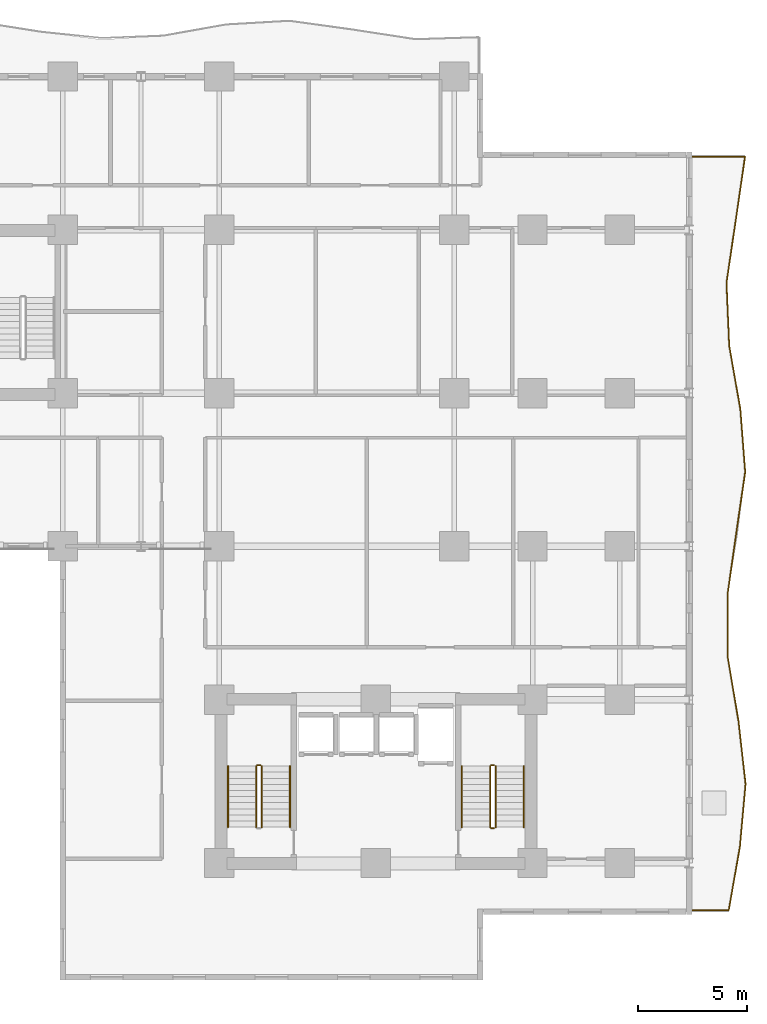
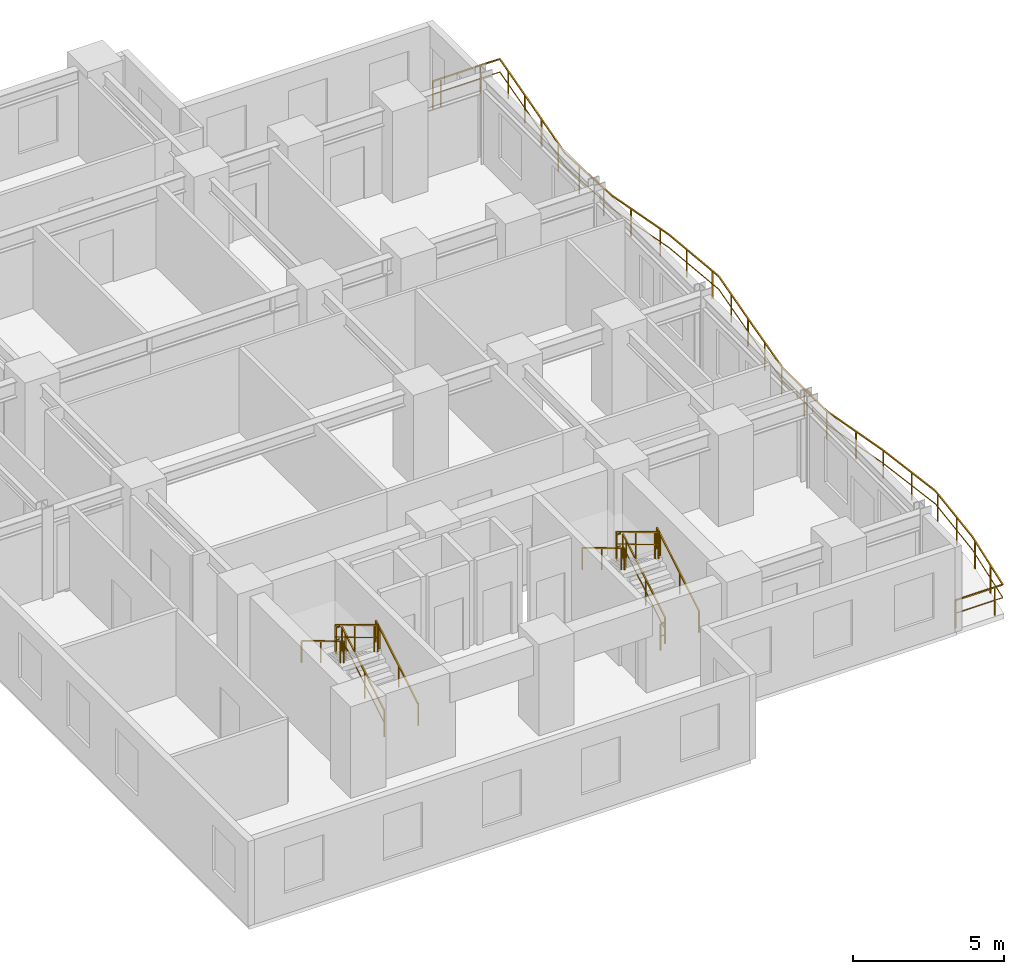
# One storey, part 10 of 11: 12 railings.
"""IFC4 building model written with IfcOpenShell, lengths in metres."""

from ifc_helpers import new_model, si_unit, direction, frame, origin, origin_2d, place, context, subcontext, project, spatial, rectangle, extrude, material, type_object, element, save


model = new_model("IFC4")

# Units and contexts
model_context = context("Model", 3, precision=1e-05, world=origin(), true_north=direction((0.0, 1.0)))
body_context = subcontext(model_context, "Body", "Model", "MODEL_VIEW")
ifc_project = project(units=[si_unit("LENGTHUNIT", "METRE"), si_unit("AREAUNIT", "SQUARE_METRE"), si_unit("VOLUMEUNIT", "CUBIC_METRE"), si_unit("PLANEANGLEUNIT", "RADIAN"), si_unit("MASSUNIT", "GRAM", prefix="KILO")], contexts=[model_context])

# Site, building, storey
site_placement = place(None, origin())
site = spatial("IfcSite", under=ifc_project, at=site_placement, CompositionType="ELEMENT")
building_placement = place(site_placement, origin())
building = spatial("IfcBuilding", under=site, at=building_placement, Name="Kaliganga Portal Commons", CompositionType="ELEMENT")
storey_placement = place(building_placement, frame((0.0, 0.0, 51.199951171875)))
storey = spatial("IfcBuildingStorey", under=building, at=storey_placement, Name="L12", CompositionType="ELEMENT", Elevation=51.199951171875)

# Railings
ifc_material_1 = material(Name="Laminated Safety Glass and Stainless Steel 316", Category="steel")
railing_type_1 = type_object("IfcRailingType", Name="RLG-BAL-1150", PredefinedType="BALUSTRADE", material=ifc_material_1)
railing_1_placement = place(storey_placement, frame((57.6083984375, 4.87939453125, 0.0)))
element("IfcRailing", 1, at=railing_1_placement, inside=storey, type_object=railing_type_1, Name="Balcony Guardrail L12 balc_east", PredefinedType="BALUSTRADE", context=body_context, shape_type="SweptSolid", body=[
    extrude(rectangle(XDim=0.048095703125, YDim=0.048095703125, at=origin_2d()), frame((0.0, 0.0, 1.1259765625), z_axis=(0.999999963693, 0.000269469136, 0.0), x_axis=(-0.000269469136, 0.999999963693, 0.0)), (0.0, 0.0, 1.0), 1.81201171875),
    extrude(rectangle(XDim=0.028076171875, YDim=0.028076171875, at=origin_2d()), frame((0.0, 0.0, 0.597900390625), z_axis=(0.999999963693, 0.000269469136, 0.0), x_axis=(-0.000269469136, 0.999999963693, 0.0)), (0.0, 0.0, 1.0), 1.81201171875),
    extrude(rectangle(XDim=0.048095703125, YDim=0.048095703125, at=origin_2d()), frame((1.81201171875, 0.00048828125, 1.1259765625), z_axis=(0.173359651482, 0.984858584386, 0.0), x_axis=(-0.984858584386, 0.173359651482, 0.0)), (0.0, 0.0, 1.0), 2.94482421875),
    extrude(rectangle(XDim=0.028076171875, YDim=0.028076171875, at=origin_2d()), frame((1.81201171875, 0.00048828125, 0.597900390625), z_axis=(0.173359651482, 0.984858584386, 0.0), x_axis=(-0.984858584386, 0.173359651482, 0.0)), (0.0, 0.0, 1.0), 2.94482421875),
    extrude(rectangle(XDim=0.048095703125, YDim=0.048095703125, at=origin_2d()), frame((2.322509765625, 2.900634765625, 1.1259765625), z_axis=(0.090308930089, 0.995913800058, 0.0), x_axis=(-0.995913800058, 0.090308930089, 0.0)), (0.0, 0.0, 1.0), 2.91162109375),
    extrude(rectangle(XDim=0.028076171875, YDim=0.028076171875, at=origin_2d()), frame((2.322509765625, 2.900634765625, 0.597900390625), z_axis=(0.090308930089, 0.995913800058, 0.0), x_axis=(-0.995913800058, 0.090308930089, 0.0)), (0.0, 0.0, 1.0), 2.91162109375),
    extrude(rectangle(XDim=0.048095703125, YDim=0.048095703125, at=origin_2d()), frame((2.58544921875, 5.80029296875, 1.1259765625), z_axis=(-0.112010581008, 0.993707014035, 0.0), x_axis=(-0.993707014035, -0.112010581008, 0.0)), (0.0, 0.0, 1.0), 2.91845703125),
    extrude(rectangle(XDim=0.028076171875, YDim=0.028076171875, at=origin_2d()), frame((2.58544921875, 5.80029296875, 0.597900390625), z_axis=(-0.112010581008, 0.993707014035, 0.0), x_axis=(-0.993707014035, -0.112010581008, 0.0)), (0.0, 0.0, 1.0), 2.91845703125),
    extrude(rectangle(XDim=0.048095703125, YDim=0.048095703125, at=origin_2d()), frame((2.258544921875, 8.700439453125, 1.1259765625), z_axis=(-0.166269790357, 0.986080299375, 0.0), x_axis=(-0.986080299375, -0.166269790357, 0.0)), (0.0, 0.0, 1.0), 2.941162109375),
    extrude(rectangle(XDim=0.028076171875, YDim=0.028076171875, at=origin_2d()), frame((2.258544921875, 8.700439453125, 0.597900390625), z_axis=(-0.166269790357, 0.986080299375, 0.0), x_axis=(-0.986080299375, -0.166269790357, 0.0)), (0.0, 0.0, 1.0), 2.941162109375),
    extrude(rectangle(XDim=0.048095703125, YDim=0.048095703125, at=origin_2d()), frame((1.76953125, 11.6005859375, 1.1259765625), z_axis=(-0.005051291003, 0.999987242148, 0.0), x_axis=(-0.999987242148, -0.005051291003, 0.0)), (0.0, 0.0, 1.0), 2.89990234375),
    extrude(rectangle(XDim=0.028076171875, YDim=0.028076171875, at=origin_2d()), frame((1.76953125, 11.6005859375, 0.597900390625), z_axis=(-0.005051291003, 0.999987242148, 0.0), x_axis=(-0.999987242148, -0.005051291003, 0.0)), (0.0, 0.0, 1.0), 2.89990234375),
    extrude(rectangle(XDim=0.048095703125, YDim=0.048095703125, at=origin_2d()), frame((1.7548828125, 14.50048828125, 1.1259765625), z_axis=(0.140317245008, 0.990106595652, 0.0), x_axis=(-0.990106595652, 0.140317245008, 0.0)), (0.0, 0.0, 1.0), 2.84814453125),
    extrude(rectangle(XDim=0.028076171875, YDim=0.028076171875, at=origin_2d()), frame((1.7548828125, 14.50048828125, 0.597900390625), z_axis=(0.140317245008, 0.990106595652, 0.0), x_axis=(-0.990106595652, 0.140317245008, 0.0)), (0.0, 0.0, 1.0), 2.84814453125),
    extrude(rectangle(XDim=0.048095703125, YDim=0.048095703125, at=origin_2d()), frame((2.154541015625, 17.320556640625, 1.1259765625), z_axis=(0.144979018425, 0.989434729639, 0.0), x_axis=(-0.989434729639, 0.144979018425, 0.0)), (0.0, 0.0, 1.0), 2.8525390625),
    extrude(rectangle(XDim=0.028076171875, YDim=0.028076171875, at=origin_2d()), frame((2.154541015625, 17.320556640625, 0.597900390625), z_axis=(0.144979018425, 0.989434729639, 0.0), x_axis=(-0.989434729639, 0.144979018425, 0.0)), (0.0, 0.0, 1.0), 2.8525390625),
    extrude(rectangle(XDim=0.048095703125, YDim=0.048095703125, at=origin_2d()), frame((2.568115234375, 20.14306640625, 1.1259765625), z_axis=(-0.077107574656, 0.997022779043, 0.0), x_axis=(-0.997022779043, -0.077107574656, 0.0)), (0.0, 0.0, 1.0), 2.906494140625),
    extrude(rectangle(XDim=0.028076171875, YDim=0.028076171875, at=origin_2d()), frame((2.568115234375, 20.14306640625, 0.597900390625), z_axis=(-0.077107574656, 0.997022779043, 0.0), x_axis=(-0.997022779043, -0.077107574656, 0.0)), (0.0, 0.0, 1.0), 2.906494140625),
    extrude(rectangle(XDim=0.048095703125, YDim=0.048095703125, at=origin_2d()), frame((2.343994140625, 23.041015625, 1.1259765625), z_axis=(-0.173548815858, 0.984825268012, 0.0), x_axis=(-0.984825268012, -0.173548815858, 0.0)), (0.0, 0.0, 1.0), 2.9443359375),
    extrude(rectangle(XDim=0.028076171875, YDim=0.028076171875, at=origin_2d()), frame((2.343994140625, 23.041015625, 0.597900390625), z_axis=(-0.173548815858, 0.984825268012, 0.0), x_axis=(-0.984825268012, -0.173548815858, 0.0)), (0.0, 0.0, 1.0), 2.9443359375),
    extrude(rectangle(XDim=0.048095703125, YDim=0.048095703125, at=origin_2d()), frame((1.8330078125, 25.940673828125, 1.1259765625), z_axis=(-0.042561163054, 0.999093863158, 0.0), x_axis=(-0.999093863158, -0.042561163054, 0.0)), (0.0, 0.0, 1.0), 2.902587890625),
    extrude(rectangle(XDim=0.028076171875, YDim=0.028076171875, at=origin_2d()), frame((1.8330078125, 25.940673828125, 0.597900390625), z_axis=(-0.042561163054, 0.999093863158, 0.0), x_axis=(-0.999093863158, -0.042561163054, 0.0)), (0.0, 0.0, 1.0), 2.902587890625),
    extrude(rectangle(XDim=0.048095703125, YDim=0.048095703125, at=origin_2d()), frame((1.70947265625, 28.840576171875, 1.1259765625), z_axis=(0.146234771308, 0.989249913652, 0.0), x_axis=(-0.989249913652, 0.146234771308, 0.0)), (0.0, 0.0, 1.0), 2.931640625),
    extrude(rectangle(XDim=0.028076171875, YDim=0.028076171875, at=origin_2d()), frame((1.70947265625, 28.840576171875, 0.597900390625), z_axis=(0.146234771308, 0.989249913652, 0.0), x_axis=(-0.989249913652, 0.146234771308, 0.0)), (0.0, 0.0, 1.0), 2.931640625),
    extrude(rectangle(XDim=0.048095703125, YDim=0.048095703125, at=origin_2d()), frame((2.13818359375, 31.74072265625, 1.1259765625), z_axis=(0.144453040332, 0.989511656899, 0.0), x_axis=(-0.989511656899, 0.144453040332, 0.0)), (0.0, 0.0, 1.0), 2.9306640625),
    extrude(rectangle(XDim=0.028076171875, YDim=0.028076171875, at=origin_2d()), frame((2.13818359375, 31.74072265625, 0.597900390625), z_axis=(0.144453040332, 0.989511656899, 0.0), x_axis=(-0.989511656899, 0.144453040332, 0.0)), (0.0, 0.0, 1.0), 2.9306640625),
    extrude(rectangle(XDim=0.048095703125, YDim=0.048095703125, at=origin_2d()), frame((2.5615234375, 34.640625, 1.1259765625), z_axis=(-0.999999981832, 0.000190621422, 0.0), x_axis=(-0.000190621422, -0.999999981832, 0.0)), (0.0, 0.0, 1.0), 2.5615234375),
    extrude(rectangle(XDim=0.028076171875, YDim=0.028076171875, at=origin_2d()), frame((2.5615234375, 34.640625, 0.597900390625), z_axis=(-0.999999981832, 0.000190621422, 0.0), x_axis=(-0.000190621422, -0.999999981832, 0.0)), (0.0, 0.0, 1.0), 2.5615234375),
    extrude(rectangle(XDim=0.0419921875, YDim=0.0419921875, at=origin_2d()), origin(), (0.0, 0.0, 1.0), 1.101806640625),
    extrude(rectangle(XDim=0.0419921875, YDim=0.0419921875, at=origin_2d()), frame((1.5, 0.00048828125, 0.0)), (0.0, 0.0, 1.0), 1.101806640625),
    extrude(rectangle(XDim=0.0419921875, YDim=0.0419921875, at=origin_2d()), frame((2.01806640625, 1.17041015625, 0.0)), (0.0, 0.0, 1.0), 1.101806640625),
    extrude(rectangle(XDim=0.0419921875, YDim=0.0419921875, at=origin_2d()), frame((2.278076171875, 2.647705078125, 0.0)), (0.0, 0.0, 1.0), 1.101806640625),
    extrude(rectangle(XDim=0.0419921875, YDim=0.0419921875, at=origin_2d()), frame((2.434814453125, 4.138916015625, 0.0)), (0.0, 0.0, 1.0), 1.101806640625),
    extrude(rectangle(XDim=0.0419921875, YDim=0.0419921875, at=origin_2d()), frame((2.5703125, 5.632568359375, 0.0)), (0.0, 0.0, 1.0), 1.101806640625),
    extrude(rectangle(XDim=0.0419921875, YDim=0.0419921875, at=origin_2d()), frame((2.436279296875, 7.12353515625, 0.0)), (0.0, 0.0, 1.0), 1.101806640625),
    extrude(rectangle(XDim=0.0419921875, YDim=0.0419921875, at=origin_2d()), frame((2.258544921875, 8.700439453125, 0.0)), (0.0, 0.0, 1.0), 1.101806640625),
    extrude(rectangle(XDim=0.0419921875, YDim=0.0419921875, at=origin_2d()), frame((2.023681640625, 10.093994140625, 0.0)), (0.0, 0.0, 1.0), 1.101806640625),
    extrude(rectangle(XDim=0.0419921875, YDim=0.0419921875, at=origin_2d()), frame((1.76953125, 11.6005859375, 0.0)), (0.0, 0.0, 1.0), 1.101806640625),
    extrude(rectangle(XDim=0.0419921875, YDim=0.0419921875, at=origin_2d()), frame((1.76220703125, 13.07275390625, 0.0)), (0.0, 0.0, 1.0), 1.101806640625),
    extrude(rectangle(XDim=0.0419921875, YDim=0.0419921875, at=origin_2d()), frame((1.764892578125, 14.572021484375, 0.0)), (0.0, 0.0, 1.0), 1.101806640625),
    extrude(rectangle(XDim=0.0419921875, YDim=0.0419921875, at=origin_2d()), frame((1.9755859375, 16.05712890625, 0.0)), (0.0, 0.0, 1.0), 1.101806640625),
    extrude(rectangle(XDim=0.0419921875, YDim=0.0419921875, at=origin_2d()), frame((2.18701171875, 17.5419921875, 0.0)), (0.0, 0.0, 1.0), 1.101806640625),
    extrude(rectangle(XDim=0.0419921875, YDim=0.0419921875, at=origin_2d()), frame((2.404541015625, 19.0263671875, 0.0)), (0.0, 0.0, 1.0), 1.101806640625),
    extrude(rectangle(XDim=0.0419921875, YDim=0.0419921875, at=origin_2d()), frame((2.53955078125, 20.51318359375, 0.0)), (0.0, 0.0, 1.0), 1.101806640625),
    extrude(rectangle(XDim=0.0419921875, YDim=0.0419921875, at=origin_2d()), frame((2.423828125, 22.0087890625, 0.0)), (0.0, 0.0, 1.0), 1.101806640625),
    extrude(rectangle(XDim=0.0419921875, YDim=0.0419921875, at=origin_2d()), frame((2.263427734375, 23.49853515625, 0.0)), (0.0, 0.0, 1.0), 1.101806640625),
    extrude(rectangle(XDim=0.0419921875, YDim=0.0419921875, at=origin_2d()), frame((2.0029296875, 24.975830078125, 0.0)), (0.0, 0.0, 1.0), 1.101806640625),
    extrude(rectangle(XDim=0.0419921875, YDim=0.0419921875, at=origin_2d()), frame((1.810791015625, 26.46044921875, 0.0)), (0.0, 0.0, 1.0), 1.101806640625),
    extrude(rectangle(XDim=0.0419921875, YDim=0.0419921875, at=origin_2d()), frame((1.7470703125, 27.959228515625, 0.0)), (0.0, 0.0, 1.0), 1.101806640625),
    extrude(rectangle(XDim=0.0419921875, YDim=0.0419921875, at=origin_2d()), frame((1.7998046875, 29.45166015625, 0.0)), (0.0, 0.0, 1.0), 1.101806640625),
    extrude(rectangle(XDim=0.0419921875, YDim=0.0419921875, at=origin_2d()), frame((2.019287109375, 30.935546875, 0.0)), (0.0, 0.0, 1.0), 1.101806640625),
    extrude(rectangle(XDim=0.0419921875, YDim=0.0419921875, at=origin_2d()), frame((2.2373046875, 32.419677734375, 0.0)), (0.0, 0.0, 1.0), 1.101806640625),
    extrude(rectangle(XDim=0.0419921875, YDim=0.0419921875, at=origin_2d()), frame((2.453857421875, 33.90380859375, 0.0)), (0.0, 0.0, 1.0), 1.101806640625),
    extrude(rectangle(XDim=0.0419921875, YDim=0.0419921875, at=origin_2d()), frame((1.80615234375, 34.640869140625, 0.0)), (0.0, 0.0, 1.0), 1.101806640625),
    extrude(rectangle(XDim=0.0419921875, YDim=0.0419921875, at=origin_2d()), frame((0.30615234375, 34.64111328125, 0.0)), (0.0, 0.0, 1.0), 1.101806640625),
    extrude(rectangle(XDim=0.0419921875, YDim=0.0419921875, at=origin_2d()), frame((0.0, 34.64111328125, 0.0)), (0.0, 0.0, 1.0), 1.101806640625),
])
ifc_material_2 = material(Name="Galvanized Painted Steel Balustrade", Category="steel")
railing_type_2 = type_object("IfcRailingType", Name="RLG-STAIR-GRD", PredefinedType="GUARDRAIL", material=ifc_material_2)
railing_2_placement = place(storey_placement, frame((37.949951171875, 8.699951171875, 0.168212890625)))
element("IfcRailing", 2, at=railing_2_placement, inside=storey, type_object=railing_type_2, Name="L12 ST-B1 stair guard 1", PredefinedType="GUARDRAIL", context=body_context, shape_type="SweptSolid", body=[
    extrude(rectangle(XDim=0.048095703125, YDim=0.048095703125, at=origin_2d()), frame((0.0, 0.0, 1.072021484375), z_axis=(0.0, 0.857242210791, 0.514913383045), x_axis=(-1.0, 0.0, 0.0)), (0.0, 0.0, 1.0), 3.266357421875),
    extrude(rectangle(XDim=0.028076171875, YDim=0.028076171875, at=origin_2d()), frame((0.0, 0.0, 0.572021484375), z_axis=(0.0, 0.857242210791, 0.514913383045), x_axis=(-1.0, 0.0, 0.0)), (0.0, 0.0, 1.0), 3.266357421875),
    extrude(rectangle(XDim=0.0419921875, YDim=0.0419921875, at=origin_2d()), origin(), (0.0, 0.0, 1.0), 1.052001953125),
    extrude(rectangle(XDim=0.0419921875, YDim=0.0419921875, at=origin_2d()), frame((0.0, 1.285888671875, 0.7724609375)), (0.0, 0.0, 1.0), 1.052001953125),
    extrude(rectangle(XDim=0.0419921875, YDim=0.0419921875, at=origin_2d()), frame((0.0, 2.57177734375, 1.544677734375)), (0.0, 0.0, 1.0), 1.052001953125),
    extrude(rectangle(XDim=0.0419921875, YDim=0.0419921875, at=origin_2d()), frame((0.0, 2.800048828125, 1.681884765625)), (0.0, 0.0, 1.0), 1.052001953125),
])
railing_3_placement = place(storey_placement, frame((37.89990234375, 11.550048828125, 1.85009765625)))
element("IfcRailing", 3, at=railing_3_placement, inside=storey, type_object=railing_type_2, Name="L12 ST-B1 stair guard 2", PredefinedType="GUARDRAIL", context=body_context, shape_type="SweptSolid", body=[
    extrude(rectangle(XDim=0.048095703125, YDim=0.048095703125, at=origin_2d()), frame((0.0, 0.0, 1.076171875), z_axis=(-1.0, 0.0, 0.0), x_axis=(0.0, -1.0, 0.0)), (0.0, 0.0, 1.0), 0.14990234375),
    extrude(rectangle(XDim=0.028076171875, YDim=0.028076171875, at=origin_2d()), frame((0.0, 0.0, 0.572021484375), z_axis=(-1.0, 0.0, 0.0), x_axis=(0.0, -1.0, 0.0)), (0.0, 0.0, 1.0), 0.14990234375),
    extrude(rectangle(XDim=0.0419921875, YDim=0.0419921875, at=origin_2d()), frame((-0.14990234375, 0.0, 0.0)), (0.0, 0.0, 1.0), 1.052001953125),
])
railing_4_placement = place(storey_placement, frame((37.699951171875, 11.5, 2.018310546875)))
element("IfcRailing", 4, at=railing_4_placement, inside=storey, type_object=railing_type_2, Name="L12 ST-B1 stair guard 3", PredefinedType="GUARDRAIL", context=body_context, shape_type="SweptSolid", body=[
    extrude(rectangle(XDim=0.048095703125, YDim=0.048095703125, at=origin_2d()), frame((0.0, 0.0, 1.072021484375), z_axis=(0.0, -0.857275202839, 0.514858452973), x_axis=(1.0, 0.0, 0.0)), (0.0, 0.0, 1.0), 3.26611328125),
    extrude(rectangle(XDim=0.028076171875, YDim=0.028076171875, at=origin_2d()), frame((0.0, 0.0, 0.572021484375), z_axis=(0.0, -0.857275202839, 0.514858452973), x_axis=(1.0, 0.0, 0.0)), (0.0, 0.0, 1.0), 3.26611328125),
    extrude(rectangle(XDim=0.0419921875, YDim=0.0419921875, at=origin_2d()), origin(), (0.0, 0.0, 1.0), 1.052001953125),
    extrude(rectangle(XDim=0.0419921875, YDim=0.0419921875, at=origin_2d()), frame((0.0, -1.285888671875, 0.772216796875)), (0.0, 0.0, 1.0), 1.052001953125),
    extrude(rectangle(XDim=0.0419921875, YDim=0.0419921875, at=origin_2d()), frame((0.0, -2.57177734375, 1.544677734375)), (0.0, 0.0, 1.0), 1.052001953125),
    extrude(rectangle(XDim=0.0419921875, YDim=0.0419921875, at=origin_2d()), frame((0.0, -2.800048828125, 1.681640625)), (0.0, 0.0, 1.0), 1.052001953125),
])
railing_5_placement = place(storey_placement, frame((48.699951171875, 8.699951171875, 0.168212890625)))
element("IfcRailing", 5, at=railing_5_placement, inside=storey, type_object=railing_type_2, Name="L12 ST-B2 stair guard 1", PredefinedType="GUARDRAIL", context=body_context, shape_type="SweptSolid", body=[
    extrude(rectangle(XDim=0.048095703125, YDim=0.048095703125, at=origin_2d()), frame((0.0, 0.0, 1.072021484375), z_axis=(0.0, 0.857242210791, 0.514913383045), x_axis=(-1.0, 0.0, 0.0)), (0.0, 0.0, 1.0), 3.266357421875),
    extrude(rectangle(XDim=0.028076171875, YDim=0.028076171875, at=origin_2d()), frame((0.0, 0.0, 0.572021484375), z_axis=(0.0, 0.857242210791, 0.514913383045), x_axis=(-1.0, 0.0, 0.0)), (0.0, 0.0, 1.0), 3.266357421875),
    extrude(rectangle(XDim=0.0419921875, YDim=0.0419921875, at=origin_2d()), origin(), (0.0, 0.0, 1.0), 1.052001953125),
    extrude(rectangle(XDim=0.0419921875, YDim=0.0419921875, at=origin_2d()), frame((0.0, 1.285888671875, 0.7724609375)), (0.0, 0.0, 1.0), 1.052001953125),
    extrude(rectangle(XDim=0.0419921875, YDim=0.0419921875, at=origin_2d()), frame((0.0, 2.57177734375, 1.544677734375)), (0.0, 0.0, 1.0), 1.052001953125),
    extrude(rectangle(XDim=0.0419921875, YDim=0.0419921875, at=origin_2d()), frame((0.0, 2.800048828125, 1.681884765625)), (0.0, 0.0, 1.0), 1.052001953125),
])
railing_6_placement = place(storey_placement, frame((48.64990234375, 11.550048828125, 1.85009765625)))
element("IfcRailing", 6, at=railing_6_placement, inside=storey, type_object=railing_type_2, Name="L12 ST-B2 stair guard 2", PredefinedType="GUARDRAIL", context=body_context, shape_type="SweptSolid", body=[
    extrude(rectangle(XDim=0.048095703125, YDim=0.048095703125, at=origin_2d()), frame((0.0, 0.0, 1.076171875), z_axis=(-1.0, 0.0, 0.0), x_axis=(0.0, -1.0, 0.0)), (0.0, 0.0, 1.0), 0.14990234375),
    extrude(rectangle(XDim=0.028076171875, YDim=0.028076171875, at=origin_2d()), frame((0.0, 0.0, 0.572021484375), z_axis=(-1.0, 0.0, 0.0), x_axis=(0.0, -1.0, 0.0)), (0.0, 0.0, 1.0), 0.14990234375),
    extrude(rectangle(XDim=0.0419921875, YDim=0.0419921875, at=origin_2d()), frame((-0.14990234375, 0.0, 0.0)), (0.0, 0.0, 1.0), 1.052001953125),
])
railing_7_placement = place(storey_placement, frame((48.449951171875, 11.5, 2.018310546875)))
element("IfcRailing", 7, at=railing_7_placement, inside=storey, type_object=railing_type_2, Name="L12 ST-B2 stair guard 3", PredefinedType="GUARDRAIL", context=body_context, shape_type="SweptSolid", body=[
    extrude(rectangle(XDim=0.048095703125, YDim=0.048095703125, at=origin_2d()), frame((0.0, 0.0, 1.072021484375), z_axis=(0.0, -0.857275202839, 0.514858452973), x_axis=(1.0, 0.0, 0.0)), (0.0, 0.0, 1.0), 3.26611328125),
    extrude(rectangle(XDim=0.028076171875, YDim=0.028076171875, at=origin_2d()), frame((0.0, 0.0, 0.572021484375), z_axis=(0.0, -0.857275202839, 0.514858452973), x_axis=(1.0, 0.0, 0.0)), (0.0, 0.0, 1.0), 3.26611328125),
    extrude(rectangle(XDim=0.0419921875, YDim=0.0419921875, at=origin_2d()), origin(), (0.0, 0.0, 1.0), 1.052001953125),
    extrude(rectangle(XDim=0.0419921875, YDim=0.0419921875, at=origin_2d()), frame((0.0, -1.285888671875, 0.772216796875)), (0.0, 0.0, 1.0), 1.052001953125),
    extrude(rectangle(XDim=0.0419921875, YDim=0.0419921875, at=origin_2d()), frame((0.0, -2.57177734375, 1.544677734375)), (0.0, 0.0, 1.0), 1.052001953125),
    extrude(rectangle(XDim=0.0419921875, YDim=0.0419921875, at=origin_2d()), frame((0.0, -2.800048828125, 1.681640625)), (0.0, 0.0, 1.0), 1.052001953125),
])
railing_8_placement = place(storey_placement, frame((48.64990234375, 8.64990234375, 0.0)))
element("IfcRailing", 8, at=railing_8_placement, inside=storey, type_object=railing_type_2, Name="L12 ST-B2 stair guard 4", PredefinedType="GUARDRAIL", context=body_context, shape_type="SweptSolid", body=[
    extrude(rectangle(XDim=0.048095703125, YDim=0.048095703125, at=origin_2d()), frame((0.0, 0.0, 1.076171875), z_axis=(-1.0, 0.0, 0.0), x_axis=(0.0, -1.0, 0.0)), (0.0, 0.0, 1.0), 0.14990234375),
    extrude(rectangle(XDim=0.028076171875, YDim=0.028076171875, at=origin_2d()), frame((0.0, 0.0, 0.572021484375), z_axis=(-1.0, 0.0, 0.0), x_axis=(0.0, -1.0, 0.0)), (0.0, 0.0, 1.0), 0.14990234375),
    extrude(rectangle(XDim=0.0419921875, YDim=0.0419921875, at=origin_2d()), frame((-0.14990234375, 0.0, 0.0)), (0.0, 0.0, 1.0), 1.052001953125),
])
ifc_material_3 = material(Name="Brushed Stainless Steel 316", Category="steel")
railing_type_3 = type_object("IfcRailingType", Name="RLG-STAIR-HR", PredefinedType="HANDRAIL", material=ifc_material_3)
railing_9_placement = place(storey_placement, frame((39.25, 8.699951171875, 0.168212890625)))
element("IfcRailing", 9, at=railing_9_placement, inside=storey, type_object=railing_type_3, Name="L12 ST-B1 stair handrail 1", PredefinedType="HANDRAIL", context=body_context, shape_type="SweptSolid", body=[
    extrude(rectangle(XDim=0.048095703125, YDim=0.048095703125, at=origin_2d()), frame((0.0, 0.0, 0.871826171875), z_axis=(0.0, 0.857242210791, 0.514913383045), x_axis=(-1.0, 0.0, 0.0)), (0.0, 0.0, 1.0), 3.266357421875),
    extrude(rectangle(XDim=0.0419921875, YDim=0.0419921875, at=origin_2d()), origin(), (0.0, 0.0, 1.0), 0.851806640625),
    extrude(rectangle(XDim=0.0419921875, YDim=0.0419921875, at=origin_2d()), frame((0.0, 1.285888671875, 0.7724609375)), (0.0, 0.0, 1.0), 0.851806640625),
    extrude(rectangle(XDim=0.0419921875, YDim=0.0419921875, at=origin_2d()), frame((0.0, 2.57177734375, 1.544677734375)), (0.0, 0.0, 1.0), 0.851806640625),
    extrude(rectangle(XDim=0.0419921875, YDim=0.0419921875, at=origin_2d()), frame((0.0, 2.800048828125, 1.681884765625)), (0.0, 0.0, 1.0), 0.851806640625),
])
railing_10_placement = place(storey_placement, frame((36.39990234375, 11.5, 2.018310546875)))
element("IfcRailing", 10, at=railing_10_placement, inside=storey, type_object=railing_type_3, Name="L12 ST-B1 stair handrail 2", PredefinedType="HANDRAIL", context=body_context, shape_type="SweptSolid", body=[
    extrude(rectangle(XDim=0.048095703125, YDim=0.048095703125, at=origin_2d()), frame((0.0, 0.0, 0.871826171875), z_axis=(0.0, -0.857275202839, 0.514858452973), x_axis=(1.0, 0.0, 0.0)), (0.0, 0.0, 1.0), 3.26611328125),
    extrude(rectangle(XDim=0.0419921875, YDim=0.0419921875, at=origin_2d()), origin(), (0.0, 0.0, 1.0), 0.851806640625),
    extrude(rectangle(XDim=0.0419921875, YDim=0.0419921875, at=origin_2d()), frame((0.0, -1.285888671875, 0.772216796875)), (0.0, 0.0, 1.0), 0.851806640625),
    extrude(rectangle(XDim=0.0419921875, YDim=0.0419921875, at=origin_2d()), frame((0.0, -2.57177734375, 1.544677734375)), (0.0, 0.0, 1.0), 0.851806640625),
    extrude(rectangle(XDim=0.0419921875, YDim=0.0419921875, at=origin_2d()), frame((0.0, -2.800048828125, 1.681640625)), (0.0, 0.0, 1.0), 0.851806640625),
])
railing_11_placement = place(storey_placement, frame((50.0, 8.699951171875, 0.168212890625)))
element("IfcRailing", 11, at=railing_11_placement, inside=storey, type_object=railing_type_3, Name="L12 ST-B2 stair handrail 1", PredefinedType="HANDRAIL", context=body_context, shape_type="SweptSolid", body=[
    extrude(rectangle(XDim=0.048095703125, YDim=0.048095703125, at=origin_2d()), frame((0.0, 0.0, 0.871826171875), z_axis=(0.0, 0.857242210791, 0.514913383045), x_axis=(-1.0, 0.0, 0.0)), (0.0, 0.0, 1.0), 3.266357421875),
    extrude(rectangle(XDim=0.0419921875, YDim=0.0419921875, at=origin_2d()), origin(), (0.0, 0.0, 1.0), 0.851806640625),
    extrude(rectangle(XDim=0.0419921875, YDim=0.0419921875, at=origin_2d()), frame((0.0, 1.285888671875, 0.7724609375)), (0.0, 0.0, 1.0), 0.851806640625),
    extrude(rectangle(XDim=0.0419921875, YDim=0.0419921875, at=origin_2d()), frame((0.0, 2.57177734375, 1.544677734375)), (0.0, 0.0, 1.0), 0.851806640625),
    extrude(rectangle(XDim=0.0419921875, YDim=0.0419921875, at=origin_2d()), frame((0.0, 2.800048828125, 1.681884765625)), (0.0, 0.0, 1.0), 0.851806640625),
])
railing_12_placement = place(storey_placement, frame((47.14990234375, 11.5, 2.018310546875)))
element("IfcRailing", 12, at=railing_12_placement, inside=storey, type_object=railing_type_3, Name="L12 ST-B2 stair handrail 2", PredefinedType="HANDRAIL", context=body_context, shape_type="SweptSolid", body=[
    extrude(rectangle(XDim=0.048095703125, YDim=0.048095703125, at=origin_2d()), frame((0.0, 0.0, 0.871826171875), z_axis=(0.0, -0.857275202839, 0.514858452973), x_axis=(1.0, 0.0, 0.0)), (0.0, 0.0, 1.0), 3.26611328125),
    extrude(rectangle(XDim=0.0419921875, YDim=0.0419921875, at=origin_2d()), origin(), (0.0, 0.0, 1.0), 0.851806640625),
    extrude(rectangle(XDim=0.0419921875, YDim=0.0419921875, at=origin_2d()), frame((0.0, -1.285888671875, 0.772216796875)), (0.0, 0.0, 1.0), 0.851806640625),
    extrude(rectangle(XDim=0.0419921875, YDim=0.0419921875, at=origin_2d()), frame((0.0, -2.57177734375, 1.544677734375)), (0.0, 0.0, 1.0), 0.851806640625),
    extrude(rectangle(XDim=0.0419921875, YDim=0.0419921875, at=origin_2d()), frame((0.0, -2.800048828125, 1.681640625)), (0.0, 0.0, 1.0), 0.851806640625),
])

save(model, "model.ifc")
